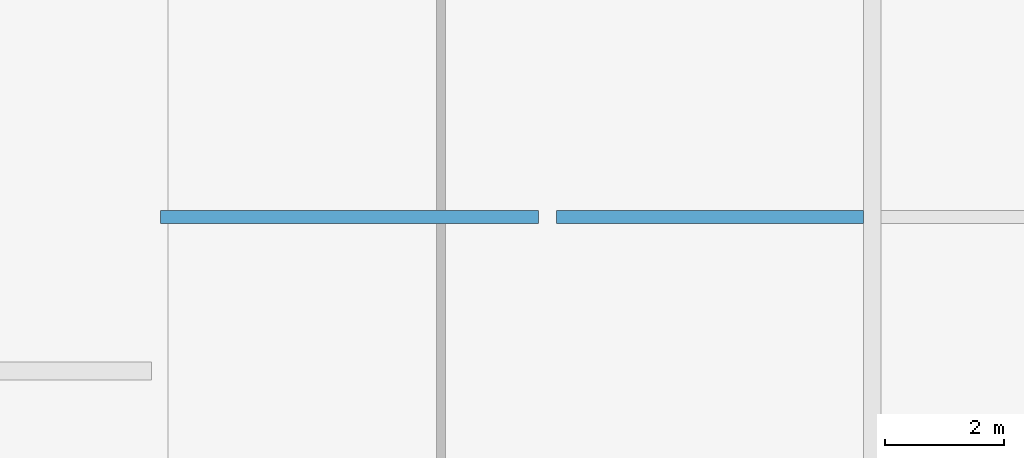
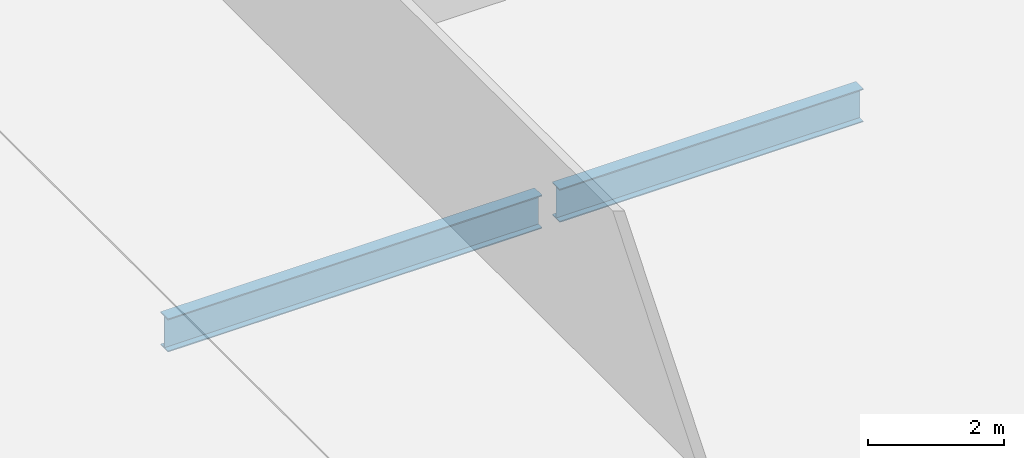
# One storey, part 9 of 35: 2 beams.
"""IFC4 building model written with IfcOpenShell, lengths in metres."""

from ifc_helpers import new_model, si_unit, direction, frame, origin, origin_2d, place, context, subcontext, project, spatial, i_section, extrude, material, material_profile, profile_set, type_object, element, save


model = new_model("IFC4")

# Units and contexts
model_context = context("Model", 3, precision=1e-05, world=origin(), true_north=direction((0.0, 1.0)))
body_context = subcontext(model_context, "Body", "Model", "MODEL_VIEW")
ifc_project = project(units=[si_unit("LENGTHUNIT", "METRE"), si_unit("AREAUNIT", "SQUARE_METRE"), si_unit("VOLUMEUNIT", "CUBIC_METRE"), si_unit("PLANEANGLEUNIT", "RADIAN"), si_unit("MASSUNIT", "GRAM", prefix="KILO")], contexts=[model_context])

# Site, building, storey
site_placement = place(None, origin())
site = spatial("IfcSite", under=ifc_project, at=site_placement, CompositionType="ELEMENT")
building_placement = place(site_placement, origin())
building = spatial("IfcBuilding", under=site, at=building_placement, Name="Khoronbel Lancet Exchange", CompositionType="ELEMENT")
storey_placement = place(building_placement, frame((0.0, 0.0, 25.800048828125)))
storey = spatial("IfcBuildingStorey", under=building, at=storey_placement, Name="L05", CompositionType="ELEMENT", Elevation=25.800048828125)

# Beams
ifc_material = material(Name="Steel S355", Category="steel")
ifc_material_profile = material_profile(ifc_material, i_section(OverallWidth=0.219970703125, OverallDepth=0.60009765625, WebThickness=0.011962890625, FlangeThickness=0.01904296875, at=origin_2d()), Name="IPE 600")
ifc_profile_set = profile_set([ifc_material_profile], Name="Steel S355")
beam_type = type_object("IfcBeamType", Name="BM-BJ1", PredefinedType="JOIST", material=ifc_profile_set)
beam_1_placement = place(storey_placement, frame((18.375, 21.800048828125, -0.47998046875), z_axis=(1.0, 0.0, 0.0), x_axis=(0.0, 1.0, 0.0)))
element("IfcBeam", 1, at=beam_1_placement, inside=storey, type_object=beam_type, Name="Level L05 secondary composite joist J06", PredefinedType="JOIST", context=body_context, shape_type="SweptSolid", body=[
    extrude(i_section(OverallWidth=0.219970703125, OverallDepth=0.60009765625, WebThickness=0.011962890625, FlangeThickness=0.01904296875, at=origin_2d()), origin(), (0.0, 0.0, 1.0), 6.375),
])
beam_2_placement = place(storey_placement, frame((25.050048828125, 21.800048828125, -0.47998046875), z_axis=(1.0, 0.0, 0.0), x_axis=(0.0, 1.0, 0.0)))
element("IfcBeam", 2, at=beam_2_placement, inside=storey, type_object=beam_type, Name="Level L05 secondary composite joist J07", PredefinedType="JOIST", context=body_context, shape_type="SweptSolid", body=[
    extrude(i_section(OverallWidth=0.219970703125, OverallDepth=0.60009765625, WebThickness=0.011962890625, FlangeThickness=0.01904296875, at=origin_2d()), origin(), (0.0, 0.0, 1.0), 5.175048828125),
])

save(model, "model.ifc")
